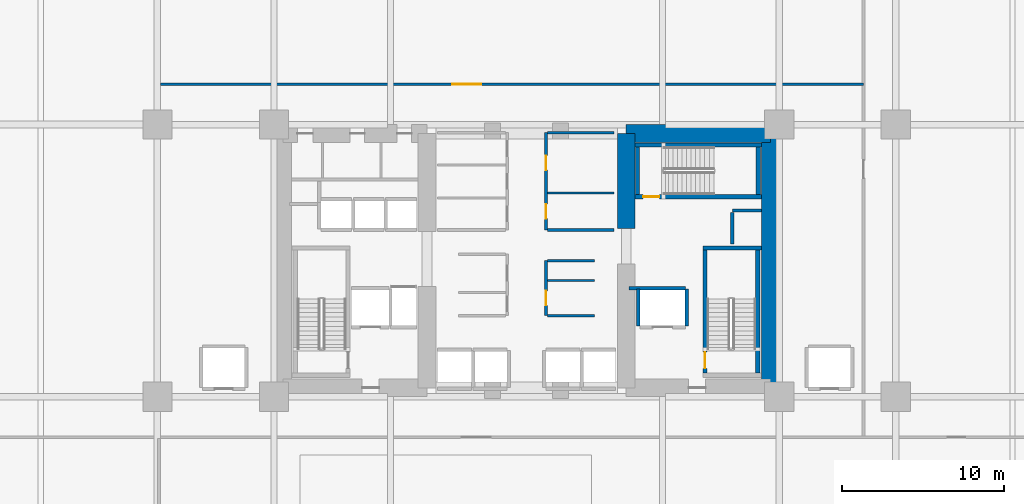
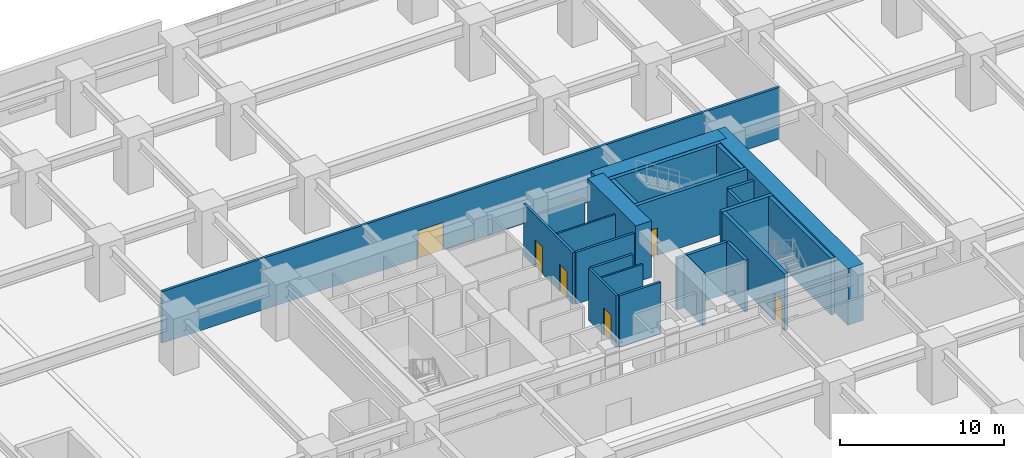
# One storey, part 12 of 22: 24 walls, 6 doors, 6 openings.
"""IFC4 building model written with IfcOpenShell, lengths in metres."""

from ifc_helpers import new_model, si_unit, direction, frame, frame_2d, origin, place, context, subcontext, project, spatial, rectangle, extrude, material, layer, layer_set, type_object, element, fill, save


model = new_model("IFC4")

# Units and contexts
model_context = context("Model", 3, precision=1e-05, world=origin(), true_north=direction((0.0, 1.0)))
body_context = subcontext(model_context, "Body", "Model", "MODEL_VIEW")
ifc_project = project(units=[si_unit("LENGTHUNIT", "METRE"), si_unit("AREAUNIT", "SQUARE_METRE"), si_unit("VOLUMEUNIT", "CUBIC_METRE"), si_unit("PLANEANGLEUNIT", "RADIAN"), si_unit("MASSUNIT", "GRAM", prefix="KILO")], contexts=[model_context])

# Site, building, storey
site_placement = place(None, origin())
site = spatial("IfcSite", under=ifc_project, at=site_placement, CompositionType="ELEMENT")
building_placement = place(site_placement, origin())
building = spatial("IfcBuilding", under=site, at=building_placement, Name="Kiyonajd Concourse Tower", CompositionType="ELEMENT")
storey_placement = place(building_placement, frame((0.0, 0.0, 12.89990234375)))
storey = spatial("IfcBuildingStorey", under=building, at=storey_placement, Name="L04", CompositionType="ELEMENT", Elevation=12.89990234375)

# Walls
ifc_material_1 = material(Name="Concrete C80/95", Category="concrete")
ifc_layer_1 = layer(ifc_material_1, 1.10009765625)
ifc_layer_set_1 = layer_set([ifc_layer_1], Name="Concrete C80/95")
wall_type_1 = type_object("IfcWallType", Name="WL-CORE-1100", PredefinedType="SHEAR", material=ifc_layer_set_1)
wall_1_placement = place(storey_placement, frame((54.14990234375, 38.0, 0.0), z_axis=(0.0, 0.0, 1.0), x_axis=(0.0, 1.0, 0.0)))
element("IfcWall", 1, at=wall_1_placement, inside=storey, type_object=wall_type_1, Name="L04 East Core Inner North Shear Wall", PredefinedType="SHEAR", context=body_context, shape_type="SweptSolid", body=[
    extrude(rectangle(XDim=5.85009765625, YDim=1.10009765625, at=frame_2d((2.925048828125, 0.0))), origin(), (0.0, 0.0, 1.0), 4.2001953125),
])
wall_2_placement = place(storey_placement, frame((63.050048828125, 27.60009765625, 0.0), z_axis=(0.0, 0.0, 1.0), x_axis=(0.0, 1.0, 0.0)))
element("IfcWall", 2, at=wall_2_placement, inside=storey, type_object=wall_type_1, Name="L04 East Core Outer Shear Wall", PredefinedType="SHEAR", context=body_context, shape_type="SweptSolid", body=[
    extrude(rectangle(XDim=16.7998046875, YDim=1.10009765625, at=frame_2d((8.39990234375, 0.0))), origin(), (0.0, 0.0, 1.0), 4.2001953125),
])
wall_3_placement = place(storey_placement, frame((54.14990234375, 43.85009765625, 0.0), z_axis=(0.0, 0.0, 1.0), x_axis=(1.0, 0.0, 0.0)))
element("IfcWall", 3, at=wall_3_placement, inside=storey, type_object=wall_type_1, Name="L04 East Core North Shear Wall", PredefinedType="SHEAR", context=body_context, shape_type="SweptSolid", body=[
    extrude(rectangle(XDim=8.900146484375, YDim=1.10009765625, at=frame_2d((4.4501953125, 0.0))), origin(), (0.0, 0.0, 1.0), 4.2001953125),
])
ifc_material_2 = material(Name="Gypsum Board on Cold-Formed Steel Stud", Category="steel")
ifc_layer_2 = layer(ifc_material_2, 0.125)
ifc_layer_set_2 = layer_set([ifc_layer_2], Name="Gypsum Board on Cold-Formed Steel Stud")
wall_type_2 = type_object("IfcWallType", Name="WL-PART-125", PredefinedType="PARTITIONING", material=ifc_layer_set_2)
wall_4_placement = place(storey_placement, frame((49.287109375, 34.77587890625, 0.0), z_axis=(0.0, 0.0, 1.0), x_axis=(1.0, 0.0, 0.0)))
element("IfcWall", 4, at=wall_4_placement, inside=storey, type_object=wall_type_2, Name="L04 Interior Partition Wall", PredefinedType="PARTITIONING", context=body_context, shape_type="SweptSolid", body=[
    extrude(rectangle(XDim=2.912841796875, YDim=0.125, at=frame_2d((1.45654296875, 0.0))), origin(), (0.0, 0.0, 1.0), 3.840087890625),
])
wall_5_placement = place(storey_placement, frame((49.287109375, 40.179931640625, 0.0), z_axis=(0.0, 0.0, 1.0), x_axis=(1.0, 0.0, 0.0)))
element("IfcWall", 5, at=wall_5_placement, inside=storey, type_object=wall_type_2, Name="L04 Interior Partition Wall", PredefinedType="PARTITIONING", context=body_context, shape_type="SweptSolid", body=[
    extrude(rectangle(XDim=4.11279296875, YDim=0.125, at=frame_2d((2.056396484375, 0.0))), origin(), (0.0, 0.0, 1.0), 3.840087890625),
])
ifc_layer_3 = layer(ifc_material_2, 0.2099609375)
ifc_layer_set_3 = layer_set([ifc_layer_3], Name="Gypsum Board on Cold-Formed Steel Stud")
wall_type_3 = type_object("IfcWallType", Name="WL-SHAFT-210", PredefinedType="PARTITIONING", material=ifc_layer_set_3)
wall_6_placement = place(storey_placement, frame((60.719970703125, 39.10009765625, 0.0), z_axis=(0.0, 0.0, 1.0), x_axis=(1.0, 0.0, 0.0)))
element("IfcWall", 6, at=wall_6_placement, inside=storey, type_object=wall_type_3, Name="L04 Shaft Enclosure Wall", PredefinedType="PARTITIONING", context=body_context, shape_type="SweptSolid", body=[
    extrude(rectangle(XDim=1.800048828125, YDim=0.2099609375, at=frame_2d((0.89990234375, 0.0))), origin(), (0.0, 0.0, 1.0), 3.840087890625),
])
wall_7_placement = place(storey_placement, frame((60.699951171875, 37.02001953125, 0.0), z_axis=(0.0, 0.0, 1.0), x_axis=(0.0, 1.0, 0.0)))
element("IfcWall", 7, at=wall_7_placement, inside=storey, type_object=wall_type_3, Name="L04 Shaft Enclosure Wall", PredefinedType="PARTITIONING", context=body_context, shape_type="SweptSolid", body=[
    extrude(rectangle(XDim=1.9599609375, YDim=0.2099609375, at=frame_2d((0.97998046875, 0.0))), origin(), (0.0, 0.0, 1.0), 3.840087890625),
])
wall_8_placement = place(storey_placement, frame((54.320068359375, 34.300048828125, 0.0), z_axis=(0.0, 0.0, 1.0), x_axis=(1.0, 0.0, 0.0)))
element("IfcWall", 8, at=wall_8_placement, inside=storey, type_object=wall_type_3, Name="L04 Shaft Enclosure Wall", PredefinedType="PARTITIONING", context=body_context, shape_type="SweptSolid", body=[
    extrude(rectangle(XDim=3.47998046875, YDim=0.2099609375, at=frame_2d((1.739990234375, 0.0))), origin(), (0.0, 0.0, 1.0), 3.840087890625),
])
for number, where, z_axis, x_axis, name in (
    (9, (54.89990234375, 31.9599609375, 0.0), (0.0, 0.0, 1.0), (0.0, 1.0, 0.0), "L04 Shaft Enclosure Wall"),
    (10, (57.89990234375, 31.9599609375, 0.0), (0.0, 0.0, 1.0), (0.0, 1.0, 0.0), "L04 Shaft Enclosure Wall"),
):
    element("IfcWall", number, at=place(storey_placement, frame(where, z_axis=z_axis, x_axis=x_axis)), inside=storey, type_object=wall_type_3, Name=name, PredefinedType="PARTITIONING", context=body_context, shape_type="SweptSolid", body=[
        extrude(rectangle(XDim=2.280029296875, YDim=0.2099609375, at=frame_2d((1.14013671875, 0.0))), origin(), (0.0, 0.0, 1.0), 3.840087890625),
    ])

# Wall, opening, door
ifc_layer_4 = layer(ifc_material_2, 0.169921875)
ifc_layer_set_4 = layer_set([ifc_layer_4], Name="Gypsum Board on Cold-Formed Steel Stud")
wall_type_4 = type_object("IfcWallType", Name="WL-SMK-170", PredefinedType="PARTITIONING", material=ifc_layer_set_4)
wall_9_placement = place(storey_placement, frame((49.199951171875, 32.60009765625, 0.0), z_axis=(0.0, 0.0, 1.0), x_axis=(0.0, 1.0, 0.0)))
wall_9 = element("IfcWall", 11, at=wall_9_placement, inside=storey, type_object=wall_type_4, Name="L04 Interior Partition Wall", PredefinedType="PARTITIONING", context=body_context, shape_type="SweptSolid", body=[
    extrude(rectangle(XDim=3.39990234375, YDim=0.169921875, at=frame_2d((1.699951171875, 0.0))), origin(), (0.0, 0.0, 1.0), 3.840087890625),
])
opening_1_placement = place(wall_9_placement, frame((0.637939453125, 0.0, 0.0)))
opening_1 = element("IfcOpeningElement", 12, at=opening_1_placement, cuts=wall_9, Name="Opening DF4", PredefinedType="OPENING", context=body_context, shape_type="SweptSolid", body=[
    extrude(rectangle(XDim=0.89990234375, YDim=2.02001953125, at=frame_2d((0.449951171875, 1.010009765625))), frame((0.0, 0.094970703125, 0.0), z_axis=(0.0, -1.0, 0.0), x_axis=(1.0, 0.0, 0.0)), (0.0, 0.0, 1.0), 0.18994140625),
])
ifc_material_3 = material(Name="Brushed Stainless Steel Cab Assembly", Category="steel")
door_type_1 = type_object("IfcDoorType", Name="DR-FD60-900", OperationType="NOTDEFINED", PredefinedType="DOOR", material=ifc_material_3)
door_1_placement = place(opening_1_placement, origin())
door_1 = element("IfcDoor", 13, at=door_1_placement, inside=storey, type_object=door_type_1, Name="L04 Interior Door", OperationType="SINGLE_SWING_LEFT", OverallHeight=2.02001953125, OverallWidth=0.89990234375, PredefinedType="DOOR", context=body_context, shape_type="SweptSolid", body=[
    extrude(rectangle(XDim=0.89990234375, YDim=2.02001953125, at=frame_2d((0.449951171875, 1.010009765625))), frame((0.0, 0.02490234375, 0.0), z_axis=(0.0, -1.0, 0.0), x_axis=(1.0, 0.0, 0.0)), (0.0, 0.0, 1.0), 0.050048828125),
])
fill(opening_1, door_1)

# Walls
for number, where, z_axis, x_axis, name in (
    (14, (49.287109375, 32.60009765625, 0.0), (0.0, 0.0, 1.0), (1.0, 0.0, 0.0), "L04 Interior Partition Wall"),
    (15, (49.287109375, 36.0, 0.0), (0.0, 0.0, 1.0), (1.0, 0.0, 0.0), "L04 Interior Partition Wall"),
):
    element("IfcWall", number, at=place(storey_placement, frame(where, z_axis=z_axis, x_axis=x_axis)), inside=storey, type_object=wall_type_4, Name=name, PredefinedType="PARTITIONING", context=body_context, shape_type="SweptSolid", body=[
        extrude(rectangle(XDim=2.912841796875, YDim=0.169921875, at=frame_2d((1.45654296875, 0.0))), origin(), (0.0, 0.0, 1.0), 3.840087890625),
    ])

# Wall, openings, doors
wall_10_placement = place(storey_placement, frame((49.199951171875, 37.89990234375, 0.0), z_axis=(0.0, 0.0, 1.0), x_axis=(0.0, 1.0, 0.0)))
wall_10 = element("IfcWall", 16, at=wall_10_placement, inside=storey, type_object=wall_type_4, Name="L04 Interior Partition Wall", PredefinedType="PARTITIONING", context=body_context, shape_type="SweptSolid", body=[
    extrude(rectangle(XDim=6.0, YDim=0.169921875, at=frame_2d((3.0, 0.0))), origin(), (0.0, 0.0, 1.0), 3.840087890625),
])
opening_2_placement = place(wall_10_placement, frame((0.68994140625, 0.0, 0.0)))
opening_2 = element("IfcOpeningElement", 17, at=opening_2_placement, cuts=wall_10, Name="Opening DI2", PredefinedType="OPENING", context=body_context, shape_type="SweptSolid", body=[
    extrude(rectangle(XDim=0.89990234375, YDim=2.02001953125, at=frame_2d((0.449951171875, 1.010009765625))), frame((0.0, 0.094970703125, 0.0), z_axis=(0.0, -1.0, 0.0), x_axis=(1.0, 0.0, 0.0)), (0.0, 0.0, 1.0), 0.18994140625),
])
opening_3_placement = place(wall_10_placement, frame((3.68994140625, 0.0, 0.0)))
opening_3 = element("IfcOpeningElement", 18, at=opening_3_placement, cuts=wall_10, Name="Opening DI2", PredefinedType="OPENING", context=body_context, shape_type="SweptSolid", body=[
    extrude(rectangle(XDim=0.89990234375, YDim=2.02001953125, at=frame_2d((0.449951171875, 1.010009765625))), frame((0.0, 0.094970703125, 0.0), z_axis=(0.0, -1.0, 0.0), x_axis=(1.0, 0.0, 0.0)), (0.0, 0.0, 1.0), 0.18994140625),
])
ifc_material_4 = material(Name="Natural Oak Acoustic Timber Veneer", Category="wood")
door_type_2 = type_object("IfcDoorType", Name="DR-INT-900", OperationType="NOTDEFINED", PredefinedType="DOOR", material=ifc_material_4)
door_2_placement = place(opening_2_placement, origin())
door_2 = element("IfcDoor", 19, at=door_2_placement, inside=storey, type_object=door_type_2, Name="L04 Interior Door", OperationType="SINGLE_SWING_LEFT", OverallHeight=2.02001953125, OverallWidth=0.89990234375, PredefinedType="DOOR", context=body_context, shape_type="SweptSolid", body=[
    extrude(rectangle(XDim=0.89990234375, YDim=2.02001953125, at=frame_2d((0.449951171875, 1.010009765625))), frame((0.0, 0.02490234375, 0.0), z_axis=(0.0, -1.0, 0.0), x_axis=(1.0, 0.0, 0.0)), (0.0, 0.0, 1.0), 0.050048828125),
])
fill(opening_2, door_2)
door_3_placement = place(opening_3_placement, origin())
door_3 = element("IfcDoor", 20, at=door_3_placement, inside=storey, type_object=door_type_2, Name="L04 Interior Door", OperationType="SINGLE_SWING_RIGHT", OverallHeight=2.02001953125, OverallWidth=0.89990234375, PredefinedType="DOOR", context=body_context, shape_type="SweptSolid", body=[
    extrude(rectangle(XDim=0.89990234375, YDim=2.02001953125, at=frame_2d((0.449951171875, 1.010009765625))), frame((0.0, 0.02490234375, 0.0), z_axis=(0.0, -1.0, 0.0), x_axis=(1.0, 0.0, 0.0)), (0.0, 0.0, 1.0), 0.050048828125),
])
fill(opening_3, door_3)

# Walls
wall_11_placement = place(storey_placement, frame((49.287109375, 37.89990234375, 0.0), z_axis=(0.0, 0.0, 1.0), x_axis=(1.0, 0.0, 0.0)))
element("IfcWall", 21, at=wall_11_placement, inside=storey, type_object=wall_type_4, Name="L04 Interior Partition Wall", PredefinedType="PARTITIONING", context=body_context, shape_type="SweptSolid", body=[
    extrude(rectangle(XDim=4.11279296875, YDim=0.169921875, at=frame_2d((2.056396484375, 0.0))), origin(), (0.0, 0.0, 1.0), 3.840087890625),
])
wall_12_placement = place(storey_placement, frame((49.287109375, 43.89990234375, 0.0), z_axis=(0.0, 0.0, 1.0), x_axis=(1.0, 0.0, 0.0)))
element("IfcWall", 22, at=wall_12_placement, inside=storey, type_object=wall_type_4, Name="L04 Interior Partition Wall", PredefinedType="PARTITIONING", context=body_context, shape_type="SweptSolid", body=[
    extrude(rectangle(XDim=4.11279296875, YDim=0.169921875, at=frame_2d((2.056396484375, 0.0))), origin(), (0.0, 0.0, 1.0), 2.72509765625),
])

# Wall, opening, door
wall_13_placement = place(storey_placement, frame((25.39990234375, 46.89990234375, 0.0), z_axis=(0.0, 0.0, 1.0), x_axis=(1.0, 0.0, 0.0)))
wall_13 = element("IfcWall", 23, at=wall_13_placement, inside=storey, type_object=wall_type_4, Name="L04 Interior Partition Wall", PredefinedType="PARTITIONING", context=body_context, shape_type="SweptSolid", body=[
    extrude(rectangle(XDim=43.400146484375, YDim=0.169921875, at=frame_2d((21.7001953125, 0.0))), origin(), (0.0, 0.0, 1.0), 3.840087890625),
])
opening_4_placement = place(wall_13_placement, frame((18.0, 0.0, 0.0)))
opening_4 = element("IfcOpeningElement", 24, at=opening_4_placement, cuts=wall_13, Name="Opening DI3", PredefinedType="OPENING", context=body_context, shape_type="SweptSolid", body=[
    extrude(rectangle(XDim=1.800048828125, YDim=2.06005859375, at=frame_2d((0.89990234375, 1.030029296875))), frame((0.0, 0.094970703125, 0.0), z_axis=(0.0, -1.0, 0.0), x_axis=(1.0, 0.0, 0.0)), (0.0, 0.0, 1.0), 0.18994140625),
])
door_type_3 = type_object("IfcDoorType", Name="DR-PAIR-1800", OperationType="DOUBLE_DOOR_SINGLE_SWING", PredefinedType="DOOR", material=ifc_material_3)
door_4_placement = place(opening_4_placement, origin())
door_4 = element("IfcDoor", 25, at=door_4_placement, inside=storey, type_object=door_type_3, Name="L04 Interior Door", OperationType="DOUBLE_DOOR_SINGLE_SWING", OverallHeight=2.06005859375, OverallWidth=1.800048828125, PredefinedType="DOOR", context=body_context, shape_type="SweptSolid", body=[
    extrude(rectangle(XDim=1.800048828125, YDim=2.06005859375, at=frame_2d((0.89990234375, 1.030029296875))), frame((0.0, 0.02490234375, 0.0), z_axis=(0.0, -1.0, 0.0), x_axis=(1.0, 0.0, 0.0)), (0.0, 0.0, 1.0), 0.050048828125),
])
fill(opening_4, door_4)

# Wall
ifc_material_5 = material(Name="Concrete C50/60", Category="concrete")
ifc_layer_5 = layer(ifc_material_5, 0.260009765625)
ifc_layer_set_5 = layer_set([ifc_layer_5], Name="Concrete C50/60")
wall_type_5 = type_object("IfcWallType", Name="WL-STAIR-260", PredefinedType="SHEAR", material=ifc_layer_set_5)
wall_14_placement = place(storey_placement, frame((58.889892578125, 36.780029296875, 0.0), z_axis=(0.0, 0.0, 1.0), x_axis=(1.0, 0.0, 0.0)))
element("IfcWall", 26, at=wall_14_placement, inside=storey, type_object=wall_type_5, Name="L04 Stair ST2 Structural North Wall", PredefinedType="SHEAR", context=body_context, shape_type="SweptSolid", body=[
    extrude(rectangle(XDim=3.610107421875, YDim=0.260009765625, at=frame_2d((1.80517578125, 0.0))), origin(), (0.0, 0.0, 1.0), 4.2001953125),
])

# Wall, opening, door
wall_15_placement = place(storey_placement, frame((59.02001953125, 29.050048828125, 0.0), z_axis=(0.0, 0.0, 1.0), x_axis=(0.0, 1.0, 0.0)))
wall_15 = element("IfcWall", 27, at=wall_15_placement, inside=storey, type_object=wall_type_5, Name="L04 Stair ST2 Structural West Wall", PredefinedType="SHEAR", context=body_context, shape_type="SweptSolid", body=[
    extrude(rectangle(XDim=7.599853515625, YDim=0.260009765625, at=frame_2d((3.7998046875, 0.0))), origin(), (0.0, 0.0, 1.0), 4.2001953125),
])
opening_5_placement = place(wall_15_placement, frame((0.300048828125, 0.0, 0.0)))
opening_5 = element("IfcOpeningElement", 28, at=opening_5_placement, cuts=wall_15, Name="Opening DF1", PredefinedType="OPENING", context=body_context, shape_type="SweptSolid", body=[
    extrude(rectangle(XDim=1.0, YDim=2.0400390625, at=frame_2d((0.5, 1.02001953125))), frame((0.0, 0.139892578125, 0.0), z_axis=(0.0, -1.0, 0.0), x_axis=(1.0, 0.0, 0.0)), (0.0, 0.0, 1.0), 0.280029296875),
])
door_type_4 = type_object("IfcDoorType", Name="DR-FD90-1000", OperationType="NOTDEFINED", PredefinedType="DOOR", material=ifc_material_3)
door_5_placement = place(opening_5_placement, origin())
door_5 = element("IfcDoor", 29, at=door_5_placement, inside=storey, type_object=door_type_4, Name="L04 Stair ST2 FSAE Door", OperationType="SINGLE_SWING_RIGHT", OverallHeight=2.0400390625, OverallWidth=1.0, PredefinedType="DOOR", context=body_context, shape_type="SweptSolid", body=[
    extrude(rectangle(XDim=1.0, YDim=2.0400390625, at=frame_2d((0.5, 1.02001953125))), frame((0.0, 0.02490234375, 0.0), z_axis=(0.0, -1.0, 0.0), x_axis=(1.0, 0.0, 0.0)), (0.0, 0.0, 1.0), 0.050048828125),
])
fill(opening_5, door_5)

# Wall
wall_16_placement = place(storey_placement, frame((62.280029296875, 29.050048828125, 0.0), z_axis=(0.0, 0.0, 1.0), x_axis=(0.0, 1.0, 0.0)))
element("IfcWall", 30, at=wall_16_placement, inside=storey, type_object=wall_type_5, Name="L04 Stair ST2 Structural East Wall", PredefinedType="SHEAR", context=body_context, shape_type="SweptSolid", body=[
    extrude(rectangle(XDim=7.599853515625, YDim=0.260009765625, at=frame_2d((3.7998046875, 0.0))), origin(), (0.0, 0.0, 1.0), 4.2001953125),
])

# Wall, opening, door
wall_17_placement = place(storey_placement, frame((54.699951171875, 39.949951171875, 0.0), z_axis=(0.0, 0.0, 1.0), x_axis=(1.0, 0.0, 0.0)))
wall_17 = element("IfcWall", 31, at=wall_17_placement, inside=storey, type_object=wall_type_5, Name="L04 Stair ST3 Structural South Wall", PredefinedType="SHEAR", context=body_context, shape_type="SweptSolid", body=[
    extrude(rectangle(XDim=7.800048828125, YDim=0.260009765625, at=frame_2d((3.89990234375, 0.0))), origin(), (0.0, 0.0, 1.0), 4.2001953125),
])
opening_6_placement = place(wall_17_placement, frame((0.5, 0.0, 0.0)))
opening_6 = element("IfcOpeningElement", 32, at=opening_6_placement, cuts=wall_17, Name="Opening DF1", PredefinedType="OPENING", context=body_context, shape_type="SweptSolid", body=[
    extrude(rectangle(XDim=1.0, YDim=2.0400390625, at=frame_2d((0.5, 1.02001953125))), frame((0.0, 0.139892578125, 0.0), z_axis=(0.0, -1.0, 0.0), x_axis=(1.0, 0.0, 0.0)), (0.0, 0.0, 1.0), 0.280029296875),
])
door_6_placement = place(opening_6_placement, origin())
door_6 = element("IfcDoor", 33, at=door_6_placement, inside=storey, type_object=door_type_4, Name="L04 Stair ST3 Enclosure Door", OperationType="SINGLE_SWING_LEFT", OverallHeight=2.0400390625, OverallWidth=1.0, PredefinedType="DOOR", context=body_context, shape_type="SweptSolid", body=[
    extrude(rectangle(XDim=1.0, YDim=2.0400390625, at=frame_2d((0.5, 1.02001953125))), frame((0.0, 0.02490234375, 0.0), z_axis=(0.0, -1.0, 0.0), x_axis=(1.0, 0.0, 0.0)), (0.0, 0.0, 1.0), 0.050048828125),
])
fill(opening_6, door_6)

# Walls
wall_18_placement = place(storey_placement, frame((54.699951171875, 43.14990234375, 0.0), z_axis=(0.0, 0.0, 1.0), x_axis=(1.0, 0.0, 0.0)))
element("IfcWall", 34, at=wall_18_placement, inside=storey, type_object=wall_type_5, Name="L04 Stair ST3 Structural North Wall", PredefinedType="SHEAR", context=body_context, shape_type="SweptSolid", body=[
    extrude(rectangle(XDim=7.800048828125, YDim=0.260009765625, at=frame_2d((3.89990234375, 0.0))), origin(), (0.0, 0.0, 1.0), 4.2001953125),
])
for number, where, z_axis, x_axis, name in (
    (35, (54.85009765625, 40.080078125, 0.0), (0.0, 0.0, 1.0), (0.0, 1.0, 0.0), "L04 Stair ST3 Structural West Wall"),
    (36, (62.31005859375, 40.080078125, 0.0), (0.0, 0.0, 1.0), (0.0, 1.0, 0.0), "L04 Stair ST3 Structural East Wall"),
):
    element("IfcWall", number, at=place(storey_placement, frame(where, z_axis=z_axis, x_axis=x_axis)), inside=storey, type_object=wall_type_5, Name=name, PredefinedType="SHEAR", context=body_context, shape_type="SweptSolid", body=[
        extrude(rectangle(XDim=2.93994140625, YDim=0.260009765625, at=frame_2d((1.469970703125, 0.0))), origin(), (0.0, 0.0, 1.0), 4.2001953125),
    ])

save(model, "model.ifc")
